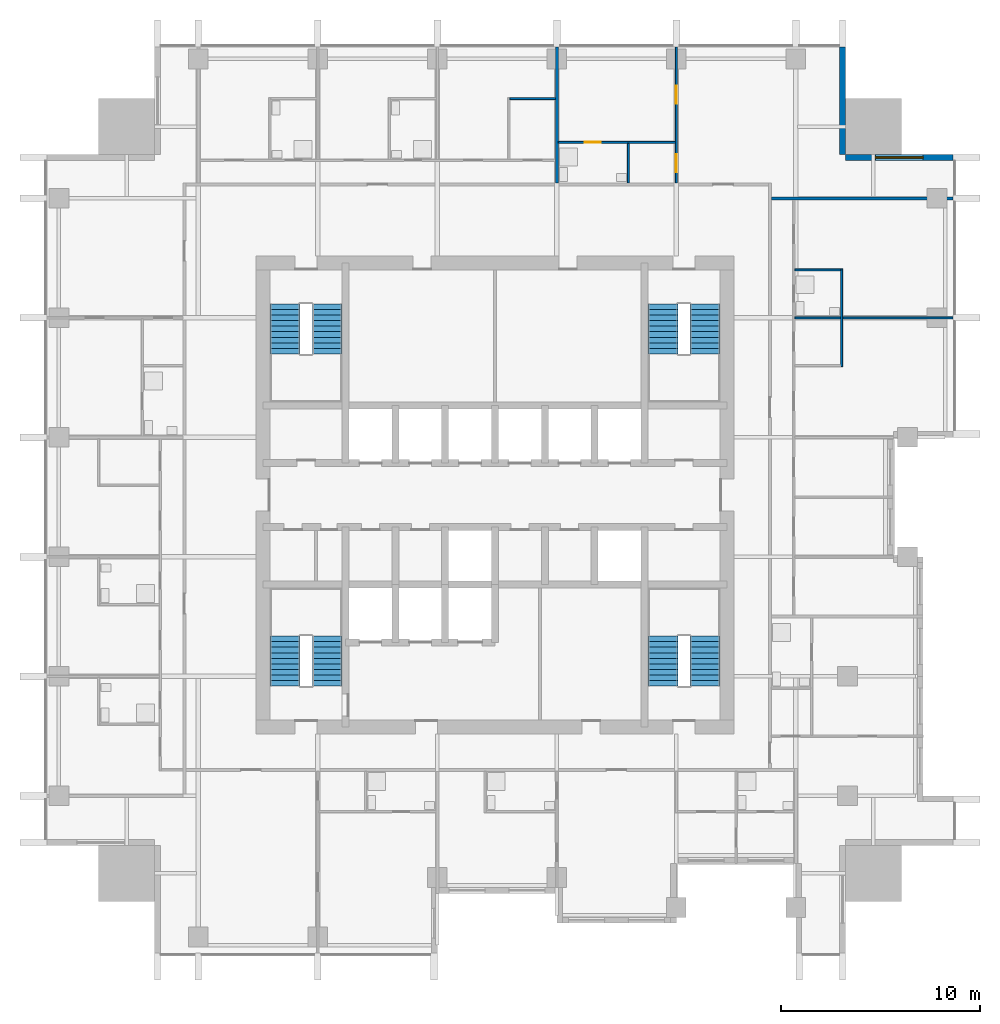
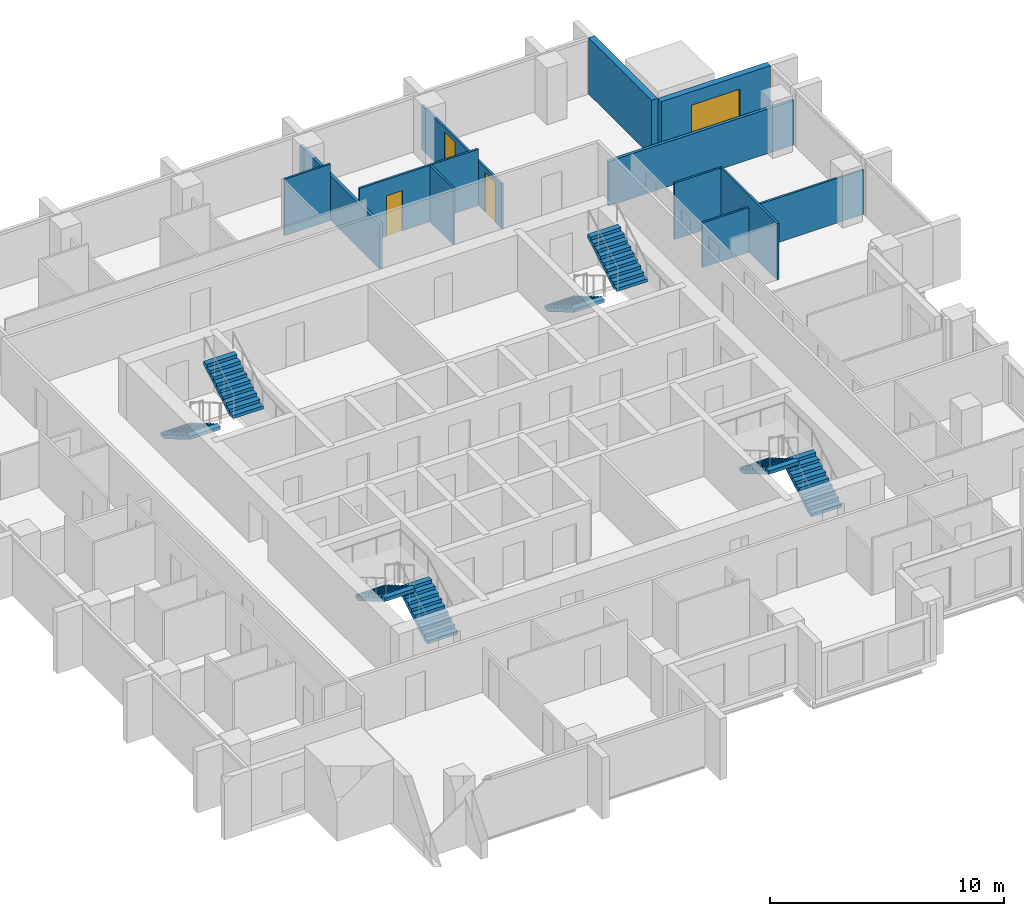
# One storey, part 8 of 10: 11 walls, 8 stair flights, 3 doors, 1 window, 4 openings, 4 elements without a shape of their own.
"""IFC4 building model written with IfcOpenShell, lengths in metres."""

from ifc_helpers import new_model, si_unit, direction, frame, frame_2d, origin, place, context, subcontext, project, spatial, polyline, rectangle, outline, extrude, material, layer, layer_set, type_object, element, fill, aggregate, save


model = new_model("IFC4")

# Units and contexts
model_context = context("Model", 3, precision=1e-05, world=origin(), true_north=direction((0.0, 1.0)))
body_context = subcontext(model_context, "Body", "Model", "MODEL_VIEW")
ifc_project = project(units=[si_unit("LENGTHUNIT", "METRE"), si_unit("AREAUNIT", "SQUARE_METRE"), si_unit("VOLUMEUNIT", "CUBIC_METRE"), si_unit("PLANEANGLEUNIT", "RADIAN"), si_unit("MASSUNIT", "GRAM", prefix="KILO")], contexts=[model_context])

# Site, building, storey
site_placement = place(None, origin())
site = spatial("IfcSite", under=ifc_project, at=site_placement, CompositionType="ELEMENT")
building_placement = place(site_placement, origin())
building = spatial("IfcBuilding", under=site, at=building_placement, Name="Amberfall Residences", CompositionType="ELEMENT")
storey_placement = place(building_placement, frame((0.0, 0.0, 174.699951171875)))
storey = spatial("IfcBuildingStorey", under=building, at=storey_placement, Name="L47", CompositionType="ELEMENT", Elevation=174.699951171875)

# Wall, opening, window
ifc_material_1 = material(Name="Pale stone cladding on insulated backing", Category="masonry")
ifc_layer_1 = layer(ifc_material_1, 0.300048828125)
ifc_layer_set_1 = layer_set([ifc_layer_1], Name="Bronze clad wall 300")
wall_type_1 = type_object("IfcWallType", Name="Bronze clad wall 300", PredefinedType="SOLIDWALL", material=ifc_layer_set_1)
wall_1_placement = place(storey_placement, frame((97.5, 62.449951171875, 0.0), z_axis=(0.0, 0.0, 1.0), x_axis=(-1.0, 0.0, 0.0)))
wall_1 = element("IfcWall", 1, at=wall_1_placement, inside=storey, type_object=wall_type_1, Name="External wall L47 NE", PredefinedType="SOLIDWALL", context=body_context, shape_type="SweptSolid", body=[
    extrude(rectangle(XDim=5.39990234375, YDim=0.300048828125, at=frame_2d((2.699951171875, 0.0))), origin(), (0.0, 0.0, 1.0), 2.949951171875),
])
opening_1_placement = place(wall_1_placement, frame((1.5, 0.0, 0.14990234375)))
opening_1 = element("IfcOpeningElement", 2, at=opening_1_placement, cuts=wall_1, Name="Opening WN5", PredefinedType="OPENING", context=body_context, shape_type="SweptSolid", body=[
    extrude(rectangle(XDim=2.39990234375, YDim=2.10009765625, at=frame_2d((1.199951171875, 1.050048828125))), frame((0.0, 0.159912109375, 0.0), z_axis=(0.0, -1.0, 0.0), x_axis=(1.0, 0.0, 0.0)), (0.0, 0.0, 1.0), 0.320068359375),
])
ifc_material_2 = material(Name="Bronze aluminium framed glazing", Category="aluminium")
window_type = type_object("IfcWindowType", Name="Glazed opening 2400 x 2100 bronze", PartitioningType="DOUBLE_PANEL_VERTICAL", PredefinedType="WINDOW", material=ifc_material_2)
window_placement = place(opening_1_placement, origin())
window = element("IfcWindow", 3, at=window_placement, inside=storey, type_object=window_type, Name="Window L47 NE", OverallHeight=2.10009765625, OverallWidth=2.39990234375, PartitioningType="DOUBLE_PANEL_VERTICAL", PredefinedType="WINDOW", context=body_context, shape_type="SweptSolid", body=[
    extrude(rectangle(XDim=2.39990234375, YDim=2.10009765625, at=frame_2d((1.199951171875, 1.050048828125))), frame((0.0, 0.030029296875, 0.0), z_axis=(0.0, -1.0, 0.0), x_axis=(1.0, 0.0, 0.0)), (0.0, 0.0, 1.0), 0.06005859375),
])
fill(opening_1, window)

# Walls
wall_2_placement = place(storey_placement, frame((91.949951171875, 62.60009765625, 0.0), z_axis=(0.0, 0.0, 1.0), x_axis=(0.0, 1.0, 0.0)))
element("IfcWall", 4, at=wall_2_placement, inside=storey, type_object=wall_type_1, Name="External wall L47 NE", PredefinedType="SOLIDWALL", context=body_context, shape_type="SweptSolid", body=[
    extrude(rectangle(XDim=5.39990234375, YDim=0.300048828125, at=frame_2d((2.699951171875, 0.0))), origin(), (0.0, 0.0, 1.0), 2.949951171875),
])
ifc_material_3 = material(Name="Gypsum board on metal stud")
ifc_layer_2 = layer(ifc_material_3, 0.10009765625)
ifc_layer_set_2 = layer_set([ifc_layer_2], Name="Flat partition 100")
wall_type_2 = type_object("IfcWallType", Name="Flat partition 100", PredefinedType="PARTITIONING", material=ifc_layer_set_2)
wall_3_placement = place(storey_placement, frame((81.199951171875, 61.175048828125, 0.0), z_axis=(0.0, 0.0, 1.0), x_axis=(0.0, 1.0, 0.0)))
element("IfcWall", 5, at=wall_3_placement, inside=storey, type_object=wall_type_2, Name="Partition 015", PredefinedType="PARTITIONING", context=body_context, shape_type="SweptSolid", body=[
    extrude(rectangle(XDim=1.974853515625, YDim=0.10009765625, at=frame_2d((0.9873046875, 0.0))), origin(), (0.0, 0.0, 1.0), 2.949951171875),
])

# Wall, openings, doors
wall_4_placement = place(storey_placement, frame((83.60009765625, 61.175048828125, 0.0), z_axis=(0.0, 0.0, 1.0), x_axis=(0.0, 1.0, 0.0)))
wall_4 = element("IfcWall", 6, at=wall_4_placement, inside=storey, type_object=wall_type_2, Name="Partition 017", PredefinedType="PARTITIONING", context=body_context, shape_type="SweptSolid", body=[
    extrude(rectangle(XDim=6.824951171875, YDim=0.10009765625, at=frame_2d((3.41259765625, 0.0))), origin(), (0.0, 0.0, 1.0), 2.33203125),
])
opening_2_placement = place(wall_4_placement, frame((0.52490234375, 0.0, 0.0)))
opening_2 = element("IfcOpeningElement", 7, at=opening_2_placement, cuts=wall_4, Name="Opening D41", PredefinedType="OPENING", context=body_context, shape_type="SweptSolid", body=[
    extrude(rectangle(XDim=0.89990234375, YDim=2.10009765625, at=frame_2d((0.449951171875, 1.050048828125))), frame((0.0, 0.06005859375, 0.0), z_axis=(0.0, -1.0, 0.0), x_axis=(1.0, 0.0, 0.0)), (0.0, 0.0, 1.0), 0.1201171875),
])
opening_3_placement = place(wall_4_placement, frame((3.97509765625, 0.0, 0.0)))
opening_3 = element("IfcOpeningElement", 8, at=opening_3_placement, cuts=wall_4, Name="Opening D41", PredefinedType="OPENING", context=body_context, shape_type="SweptSolid", body=[
    extrude(rectangle(XDim=0.89990234375, YDim=2.10009765625, at=frame_2d((0.449951171875, 1.050048828125))), frame((0.0, 0.06005859375, 0.0), z_axis=(0.0, -1.0, 0.0), x_axis=(1.0, 0.0, 0.0)), (0.0, 0.0, 1.0), 0.1201171875),
])
ifc_material_4 = material(Name="Timber", Category="wood")
door_type_1 = type_object("IfcDoorType", Name="Internal door 900 x 2100", OperationType="SINGLE_SWING_LEFT", PredefinedType="DOOR", material=ifc_material_4)
door_1_placement = place(opening_2_placement, origin())
door_1 = element("IfcDoor", 9, at=door_1_placement, inside=storey, type_object=door_type_1, Name="Door 4706 kitchen", OperationType="SINGLE_SWING_LEFT", OverallHeight=2.10009765625, OverallWidth=0.89990234375, PredefinedType="DOOR", context=body_context, shape_type="SweptSolid", body=[
    extrude(rectangle(XDim=0.89990234375, YDim=2.10009765625, at=frame_2d((0.449951171875, 1.050048828125))), frame((0.0, 0.02490234375, 0.0), z_axis=(0.0, -1.0, 0.0), x_axis=(1.0, 0.0, 0.0)), (0.0, 0.0, 1.0), 0.050048828125),
])
fill(opening_2, door_1)
door_2_placement = place(opening_3_placement, origin())
door_2 = element("IfcDoor", 10, at=door_2_placement, inside=storey, type_object=door_type_1, Name="Door 4706 bedroom1", OperationType="SINGLE_SWING_LEFT", OverallHeight=2.10009765625, OverallWidth=0.89990234375, PredefinedType="DOOR", context=body_context, shape_type="SweptSolid", body=[
    extrude(rectangle(XDim=0.89990234375, YDim=2.10009765625, at=frame_2d((0.449951171875, 1.050048828125))), frame((0.0, 0.02490234375, 0.0), z_axis=(0.0, -1.0, 0.0), x_axis=(1.0, 0.0, 0.0)), (0.0, 0.0, 1.0), 0.050048828125),
])
fill(opening_3, door_2)

# Walls
wall_5_placement = place(storey_placement, frame((91.89990234375, 51.949951171875, 0.0), z_axis=(0.0, 0.0, 1.0), x_axis=(0.0, 1.0, 0.0)))
element("IfcWall", 11, at=wall_5_placement, inside=storey, type_object=wall_type_2, Name="Partition 021", PredefinedType="PARTITIONING", context=body_context, shape_type="SweptSolid", body=[
    extrude(rectangle(XDim=4.900146484375, YDim=0.10009765625, at=frame_2d((2.4501953125, 0.0))), origin(), (0.0, 0.0, 1.0), 2.949951171875),
])
wall_6_placement = place(storey_placement, frame((75.25, 65.39990234375, 0.0), z_axis=(0.0, 0.0, 1.0), x_axis=(1.0, 0.0, 0.0)))
element("IfcWall", 12, at=wall_6_placement, inside=storey, type_object=wall_type_2, Name="Partition 024", PredefinedType="PARTITIONING", context=body_context, shape_type="SweptSolid", body=[
    extrude(rectangle(XDim=2.27490234375, YDim=0.10009765625, at=frame_2d((1.137451171875, 0.0))), origin(), (0.0, 0.0, 1.0), 2.949951171875),
])

# Wall, opening, door
wall_7_placement = place(storey_placement, frame((83.550048828125, 63.199951171875, 0.0), z_axis=(0.0, 0.0, 1.0), x_axis=(-1.0, 0.0, 0.0)))
wall_7 = element("IfcWall", 13, at=wall_7_placement, inside=storey, type_object=wall_type_2, Name="Partition 025", PredefinedType="PARTITIONING", context=body_context, shape_type="SweptSolid", body=[
    extrude(rectangle(XDim=5.875, YDim=0.10009765625, at=frame_2d((2.9375, 0.0))), origin(), (0.0, 0.0, 1.0), 2.949951171875),
])
opening_4_placement = place(wall_7_placement, frame((3.75, 0.0, 0.0)))
opening_4 = element("IfcOpeningElement", 14, at=opening_4_placement, cuts=wall_7, Name="Opening D42", PredefinedType="OPENING", context=body_context, shape_type="SweptSolid", body=[
    extrude(rectangle(XDim=0.800048828125, YDim=2.10009765625, at=frame_2d((0.39990234375, 1.050048828125))), frame((0.0, 0.06005859375, 0.0), z_axis=(0.0, -1.0, 0.0), x_axis=(1.0, 0.0, 0.0)), (0.0, 0.0, 1.0), 0.1201171875),
])
door_type_2 = type_object("IfcDoorType", Name="Bathroom door 800 x 2100", OperationType="SINGLE_SWING_LEFT", PredefinedType="DOOR", material=ifc_material_4)
door_3_placement = place(opening_4_placement, origin())
door_3 = element("IfcDoor", 15, at=door_3_placement, inside=storey, type_object=door_type_2, Name="Door 4706 bath1", OperationType="SINGLE_SWING_LEFT", OverallHeight=2.10009765625, OverallWidth=0.800048828125, PredefinedType="DOOR", context=body_context, shape_type="SweptSolid", body=[
    extrude(rectangle(XDim=0.800048828125, YDim=2.10009765625, at=frame_2d((0.39990234375, 1.050048828125))), frame((0.0, 0.02490234375, 0.0), z_axis=(0.0, -1.0, 0.0), x_axis=(1.0, 0.0, 0.0)), (0.0, 0.0, 1.0), 0.050048828125),
])
fill(opening_4, door_3)

# Walls
wall_8_placement = place(storey_placement, frame((89.550048828125, 56.800048828125, 0.0), z_axis=(0.0, 0.0, 1.0), x_axis=(1.0, 0.0, 0.0)))
element("IfcWall", 16, at=wall_8_placement, inside=storey, type_object=wall_type_2, Name="Partition 027", PredefinedType="PARTITIONING", context=body_context, shape_type="SweptSolid", body=[
    extrude(rectangle(XDim=2.300048828125, YDim=0.10009765625, at=frame_2d((1.14990234375, 0.0))), origin(), (0.0, 0.0, 1.0), 2.949951171875),
])
wall_9_placement = place(storey_placement, frame((89.550048828125, 54.39990234375, 0.0), z_axis=(0.0, 0.0, 1.0), x_axis=(1.0, 0.0, 0.0)))
element("IfcWall", 17, at=wall_9_placement, inside=storey, type_object=wall_type_2, Name="Partition 029", PredefinedType="PARTITIONING", context=body_context, shape_type="SweptSolid", body=[
    extrude(rectangle(XDim=7.949951171875, YDim=0.10009765625, at=frame_2d((3.97509765625, 0.0))), origin(), (0.0, 0.0, 1.0), 2.33203125),
])
ifc_material_5 = material(Name="Blockwork, plastered", Category="masonry")
ifc_layer_3 = layer(ifc_material_5, 0.14990234375)
ifc_layer_set_3 = layer_set([ifc_layer_3], Name="Flat separating wall 150")
wall_type_3 = type_object("IfcWallType", Name="Flat separating wall 150", PredefinedType="PARTITIONING", material=ifc_layer_set_3)
wall_10_placement = place(storey_placement, frame((77.60009765625, 61.175048828125, 0.0), z_axis=(0.0, 0.0, 1.0), x_axis=(0.0, 1.0, 0.0)))
element("IfcWall", 18, at=wall_10_placement, inside=storey, type_object=wall_type_3, Name="Separating wall 049", PredefinedType="PARTITIONING", context=body_context, shape_type="SweptSolid", body=[
    extrude(rectangle(XDim=6.824951171875, YDim=0.14990234375, at=frame_2d((3.41259765625, 0.0))), origin(), (0.0, 0.0, 1.0), 2.33203125),
])
wall_11_placement = place(storey_placement, frame((88.375, 60.39990234375, 0.0), z_axis=(0.0, 0.0, 1.0), x_axis=(1.0, 0.0, 0.0)))
element("IfcWall", 19, at=wall_11_placement, inside=storey, type_object=wall_type_3, Name="Separating wall 053", PredefinedType="PARTITIONING", context=body_context, shape_type="SweptSolid", body=[
    extrude(rectangle(XDim=9.125, YDim=0.14990234375, at=frame_2d((4.5625, 0.0))), origin(), (0.0, 0.0, 1.0), 2.33203125),
])

# Stair, stair flights
ifc_material_6 = material(Name="Concrete C40", Category="concrete")
stair_type = type_object("IfcStairType", Name="Exit stair 20 risers 165.0 mm", PredefinedType="HALF_TURN_STAIR", material=ifc_material_6)
stair_1_placement = place(storey_placement, origin())
stair_1 = element("IfcStair", 20, at=stair_1_placement, inside=storey, type_object=stair_type, Name="L47 Exit stair 1", PredefinedType="HALF_TURN_STAIR")
stair_flight_type = type_object("IfcStairFlightType", Name="Stair flight 10 risers 165.0 mm", PredefinedType="STRAIGHT", material=ifc_material_6)
stair_flight_1_placement = place(storey_placement, frame((66.074951171875, 35.89990234375, 0.0), z_axis=(0.0, 0.0, 1.0), x_axis=(0.0, 1.0, 0.0)))
stair_flight_1 = element("IfcStairFlight", 21, at=stair_flight_1_placement, type_object=stair_flight_type, Name="ST3 flight 1", NumberOfRisers=10, NumberOfTreads=9, PredefinedType="STRAIGHT", RiserHeight=0.165, TreadLength=0.28, context=body_context, shape_type="SweptSolid", body=[
    extrude(outline(polyline([(0.0, 0.0), (0.0, 0.1650390625), (0.280029296875, 0.1650390625), (0.280029296875, 0.330078125), (0.56005859375, 0.330078125), (0.56005859375, 0.4951171875), (0.840087890625, 0.4951171875), (0.840087890625, 0.659912109375), (1.1201171875, 0.659912109375), (1.1201171875, 0.824951171875), (1.39990234375, 0.824951171875), (1.39990234375, 0.989990234375), (1.679931640625, 0.989990234375), (1.679931640625, 1.155029296875), (1.9599609375, 1.155029296875), (1.9599609375, 1.320068359375), (2.239990234375, 1.320068359375), (2.239990234375, 1.485107421875), (2.52001953125, 1.485107421875), (2.52001953125, 1.64990234375), (2.52001953125, 1.31103515625), (0.295166015625, 0.0), (0.0, 0.0)])), frame((0.0, 0.75, 0.0), z_axis=(0.0, -1.0, 0.0), x_axis=(1.0, 0.0, 0.0)), (0.0, 0.0, 1.0), 1.5),
])
stair_flight_2_placement = place(storey_placement, frame((63.949951171875, 38.419921875, 1.650146484375), z_axis=(0.0, 0.0, 1.0), x_axis=(0.0, -1.0, 0.0)))
stair_flight_2 = element("IfcStairFlight", 22, at=stair_flight_2_placement, type_object=stair_flight_type, Name="ST3 flight 2", NumberOfRisers=10, NumberOfTreads=9, PredefinedType="STRAIGHT", RiserHeight=0.165, TreadLength=0.28, context=body_context, shape_type="SweptSolid", body=[
    extrude(outline(polyline([(0.0, 0.0), (0.0, 0.1650390625), (0.280029296875, 0.1650390625), (0.280029296875, 0.330078125), (0.56005859375, 0.330078125), (0.56005859375, 0.4951171875), (0.840087890625, 0.4951171875), (0.840087890625, 0.659912109375), (1.1201171875, 0.659912109375), (1.1201171875, 0.824951171875), (1.39990234375, 0.824951171875), (1.39990234375, 0.989990234375), (1.679931640625, 0.989990234375), (1.679931640625, 1.155029296875), (1.9599609375, 1.155029296875), (1.9599609375, 1.320068359375), (2.239990234375, 1.320068359375), (2.239990234375, 1.485107421875), (2.52001953125, 1.485107421875), (2.52001953125, 1.64990234375), (2.52001953125, 1.31103515625), (0.295166015625, 0.0), (0.0, 0.0)])), frame((0.0, 0.75, 0.0), z_axis=(0.0, -1.0, 0.0), x_axis=(1.0, 0.0, 0.0)), (0.0, 0.0, 1.0), 1.5),
])
aggregate(stair_1, [stair_flight_1, stair_flight_2])

stair_2_placement = place(storey_placement, origin())
stair_2 = element("IfcStair", 23, at=stair_2_placement, inside=storey, type_object=stair_type, Name="L47 Exit stair 2", PredefinedType="HALF_TURN_STAIR")
stair_flight_3_placement = place(storey_placement, frame((85.050048828125, 35.89990234375, 0.0), z_axis=(0.0, 0.0, 1.0), x_axis=(0.0, 1.0, 0.0)))
stair_flight_3 = element("IfcStairFlight", 24, at=stair_flight_3_placement, type_object=stair_flight_type, Name="ST3 flight 1", NumberOfRisers=10, NumberOfTreads=9, PredefinedType="STRAIGHT", RiserHeight=0.165, TreadLength=0.28, context=body_context, shape_type="SweptSolid", body=[
    extrude(outline(polyline([(0.0, 0.0), (0.0, 0.1650390625), (0.280029296875, 0.1650390625), (0.280029296875, 0.330078125), (0.56005859375, 0.330078125), (0.56005859375, 0.4951171875), (0.840087890625, 0.4951171875), (0.840087890625, 0.659912109375), (1.1201171875, 0.659912109375), (1.1201171875, 0.824951171875), (1.39990234375, 0.824951171875), (1.39990234375, 0.989990234375), (1.679931640625, 0.989990234375), (1.679931640625, 1.155029296875), (1.9599609375, 1.155029296875), (1.9599609375, 1.320068359375), (2.239990234375, 1.320068359375), (2.239990234375, 1.485107421875), (2.52001953125, 1.485107421875), (2.52001953125, 1.64990234375), (2.52001953125, 1.31103515625), (0.295166015625, 0.0), (0.0, 0.0)])), frame((0.0, 0.75, 0.0), z_axis=(0.0, -1.0, 0.0), x_axis=(1.0, 0.0, 0.0)), (0.0, 0.0, 1.0), 1.5),
])
stair_flight_4_placement = place(storey_placement, frame((82.925048828125, 38.419921875, 1.650146484375), z_axis=(0.0, 0.0, 1.0), x_axis=(0.0, -1.0, 0.0)))
stair_flight_4 = element("IfcStairFlight", 25, at=stair_flight_4_placement, type_object=stair_flight_type, Name="ST3 flight 2", NumberOfRisers=10, NumberOfTreads=9, PredefinedType="STRAIGHT", RiserHeight=0.165, TreadLength=0.28, context=body_context, shape_type="SweptSolid", body=[
    extrude(outline(polyline([(0.0, 0.0), (0.0, 0.1650390625), (0.280029296875, 0.1650390625), (0.280029296875, 0.330078125), (0.56005859375, 0.330078125), (0.56005859375, 0.4951171875), (0.840087890625, 0.4951171875), (0.840087890625, 0.659912109375), (1.1201171875, 0.659912109375), (1.1201171875, 0.824951171875), (1.39990234375, 0.824951171875), (1.39990234375, 0.989990234375), (1.679931640625, 0.989990234375), (1.679931640625, 1.155029296875), (1.9599609375, 1.155029296875), (1.9599609375, 1.320068359375), (2.239990234375, 1.320068359375), (2.239990234375, 1.485107421875), (2.52001953125, 1.485107421875), (2.52001953125, 1.64990234375), (2.52001953125, 1.31103515625), (0.295166015625, 0.0), (0.0, 0.0)])), frame((0.0, 0.75, 0.0), z_axis=(0.0, -1.0, 0.0), x_axis=(1.0, 0.0, 0.0)), (0.0, 0.0, 1.0), 1.5),
])
aggregate(stair_2, [stair_flight_3, stair_flight_4])

stair_3_placement = place(storey_placement, origin())
stair_3 = element("IfcStair", 26, at=stair_3_placement, inside=storey, type_object=stair_type, Name="L47 Exit stair 3", PredefinedType="HALF_TURN_STAIR")
stair_flight_5_placement = place(storey_placement, frame((82.925048828125, 55.10009765625, 0.0), z_axis=(0.0, 0.0, 1.0), x_axis=(0.0, -1.0, 0.0)))
stair_flight_5 = element("IfcStairFlight", 27, at=stair_flight_5_placement, type_object=stair_flight_type, Name="ST3 flight 1", NumberOfRisers=10, NumberOfTreads=9, PredefinedType="STRAIGHT", RiserHeight=0.165, TreadLength=0.28, context=body_context, shape_type="SweptSolid", body=[
    extrude(outline(polyline([(0.0, 0.0), (0.0, 0.1650390625), (0.280029296875, 0.1650390625), (0.280029296875, 0.330078125), (0.56005859375, 0.330078125), (0.56005859375, 0.4951171875), (0.840087890625, 0.4951171875), (0.840087890625, 0.659912109375), (1.1201171875, 0.659912109375), (1.1201171875, 0.824951171875), (1.39990234375, 0.824951171875), (1.39990234375, 0.989990234375), (1.679931640625, 0.989990234375), (1.679931640625, 1.155029296875), (1.9599609375, 1.155029296875), (1.9599609375, 1.320068359375), (2.239990234375, 1.320068359375), (2.239990234375, 1.485107421875), (2.52001953125, 1.485107421875), (2.52001953125, 1.64990234375), (2.52001953125, 1.31103515625), (0.295166015625, 0.0), (0.0, 0.0)])), frame((0.0, 0.75, 0.0), z_axis=(0.0, -1.0, 0.0), x_axis=(1.0, 0.0, 0.0)), (0.0, 0.0, 1.0), 1.5),
])
stair_flight_6_placement = place(storey_placement, frame((85.050048828125, 52.580078125, 1.650146484375), z_axis=(0.0, 0.0, 1.0), x_axis=(0.0, 1.0, 0.0)))
stair_flight_6 = element("IfcStairFlight", 28, at=stair_flight_6_placement, type_object=stair_flight_type, Name="ST3 flight 2", NumberOfRisers=10, NumberOfTreads=9, PredefinedType="STRAIGHT", RiserHeight=0.165, TreadLength=0.28, context=body_context, shape_type="SweptSolid", body=[
    extrude(outline(polyline([(0.0, 0.0), (0.0, 0.1650390625), (0.280029296875, 0.1650390625), (0.280029296875, 0.330078125), (0.56005859375, 0.330078125), (0.56005859375, 0.4951171875), (0.840087890625, 0.4951171875), (0.840087890625, 0.659912109375), (1.1201171875, 0.659912109375), (1.1201171875, 0.824951171875), (1.39990234375, 0.824951171875), (1.39990234375, 0.989990234375), (1.679931640625, 0.989990234375), (1.679931640625, 1.155029296875), (1.9599609375, 1.155029296875), (1.9599609375, 1.320068359375), (2.239990234375, 1.320068359375), (2.239990234375, 1.485107421875), (2.52001953125, 1.485107421875), (2.52001953125, 1.64990234375), (2.52001953125, 1.31103515625), (0.295166015625, 0.0), (0.0, 0.0)])), frame((0.0, 0.75, 0.0), z_axis=(0.0, -1.0, 0.0), x_axis=(1.0, 0.0, 0.0)), (0.0, 0.0, 1.0), 1.5),
])
aggregate(stair_3, [stair_flight_5, stair_flight_6])

stair_4_placement = place(storey_placement, origin())
stair_4 = element("IfcStair", 29, at=stair_4_placement, inside=storey, type_object=stair_type, Name="L47 Exit stair 4", PredefinedType="HALF_TURN_STAIR")
stair_flight_7_placement = place(storey_placement, frame((63.949951171875, 55.10009765625, 0.0), z_axis=(0.0, 0.0, 1.0), x_axis=(0.0, -1.0, 0.0)))
stair_flight_7 = element("IfcStairFlight", 30, at=stair_flight_7_placement, type_object=stair_flight_type, Name="ST3 flight 1", NumberOfRisers=10, NumberOfTreads=9, PredefinedType="STRAIGHT", RiserHeight=0.165, TreadLength=0.28, context=body_context, shape_type="SweptSolid", body=[
    extrude(outline(polyline([(0.0, 0.0), (0.0, 0.1650390625), (0.280029296875, 0.1650390625), (0.280029296875, 0.330078125), (0.56005859375, 0.330078125), (0.56005859375, 0.4951171875), (0.840087890625, 0.4951171875), (0.840087890625, 0.659912109375), (1.1201171875, 0.659912109375), (1.1201171875, 0.824951171875), (1.39990234375, 0.824951171875), (1.39990234375, 0.989990234375), (1.679931640625, 0.989990234375), (1.679931640625, 1.155029296875), (1.9599609375, 1.155029296875), (1.9599609375, 1.320068359375), (2.239990234375, 1.320068359375), (2.239990234375, 1.485107421875), (2.52001953125, 1.485107421875), (2.52001953125, 1.64990234375), (2.52001953125, 1.31103515625), (0.295166015625, 0.0), (0.0, 0.0)])), frame((0.0, 0.75, 0.0), z_axis=(0.0, -1.0, 0.0), x_axis=(1.0, 0.0, 0.0)), (0.0, 0.0, 1.0), 1.5),
])
stair_flight_8_placement = place(storey_placement, frame((66.074951171875, 52.580078125, 1.650146484375), z_axis=(0.0, 0.0, 1.0), x_axis=(0.0, 1.0, 0.0)))
stair_flight_8 = element("IfcStairFlight", 31, at=stair_flight_8_placement, type_object=stair_flight_type, Name="ST3 flight 2", NumberOfRisers=10, NumberOfTreads=9, PredefinedType="STRAIGHT", RiserHeight=0.165, TreadLength=0.28, context=body_context, shape_type="SweptSolid", body=[
    extrude(outline(polyline([(0.0, 0.0), (0.0, 0.1650390625), (0.280029296875, 0.1650390625), (0.280029296875, 0.330078125), (0.56005859375, 0.330078125), (0.56005859375, 0.4951171875), (0.840087890625, 0.4951171875), (0.840087890625, 0.659912109375), (1.1201171875, 0.659912109375), (1.1201171875, 0.824951171875), (1.39990234375, 0.824951171875), (1.39990234375, 0.989990234375), (1.679931640625, 0.989990234375), (1.679931640625, 1.155029296875), (1.9599609375, 1.155029296875), (1.9599609375, 1.320068359375), (2.239990234375, 1.320068359375), (2.239990234375, 1.485107421875), (2.52001953125, 1.485107421875), (2.52001953125, 1.64990234375), (2.52001953125, 1.31103515625), (0.295166015625, 0.0), (0.0, 0.0)])), frame((0.0, 0.75, 0.0), z_axis=(0.0, -1.0, 0.0), x_axis=(1.0, 0.0, 0.0)), (0.0, 0.0, 1.0), 1.5),
])
aggregate(stair_4, [stair_flight_7, stair_flight_8])

save(model, "model.ifc")
